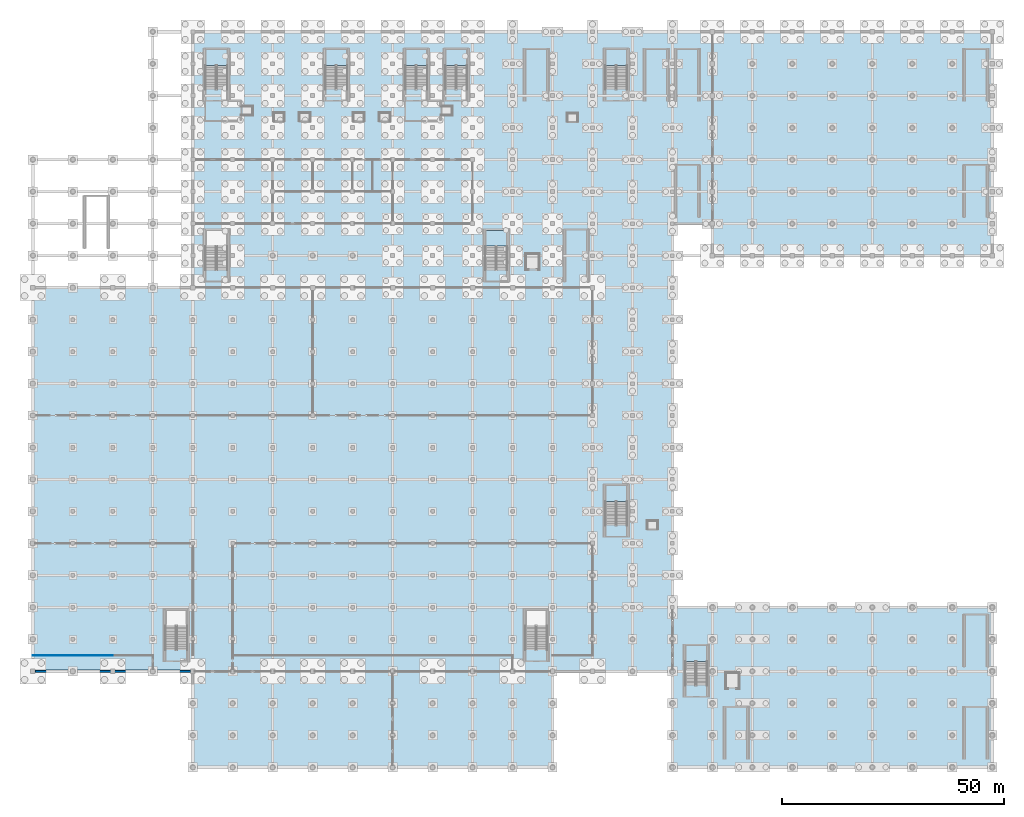
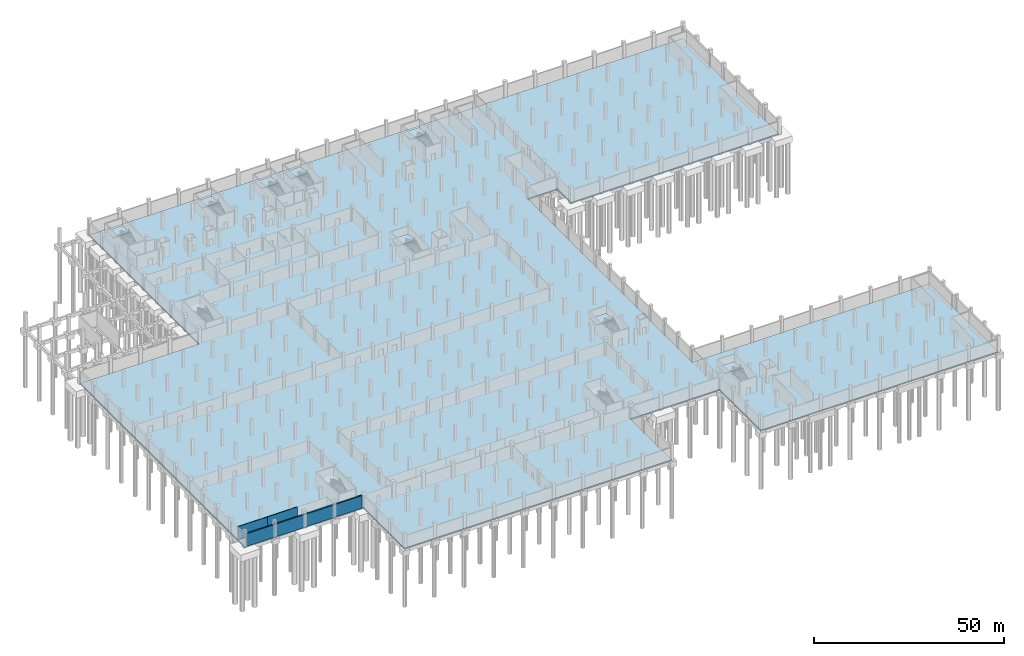
# One storey, part 15 of 39: 9 slabs, 3 walls, 8 elements without a shape of their own.
"""IFC4 building model written with IfcOpenShell, lengths in metres."""

from ifc_helpers import new_model, si_unit, direction, frame, frame_2d, origin, place, context, subcontext, project, spatial, polyline, rectangle, outline, extrude, material, layer, layer_set, type_object, element, aggregate, save


model = new_model("IFC4")

# Units and contexts
model_context = context("Model", 3, precision=1e-05, world=origin(), true_north=direction((0.0, 1.0)))
body_context = subcontext(model_context, "Body", "Model", "MODEL_VIEW")
ifc_project = project(units=[si_unit("LENGTHUNIT", "METRE"), si_unit("AREAUNIT", "SQUARE_METRE"), si_unit("VOLUMEUNIT", "CUBIC_METRE"), si_unit("PLANEANGLEUNIT", "RADIAN"), si_unit("MASSUNIT", "GRAM", prefix="KILO")], contexts=[model_context])

# Site, building, storey
site_placement = place(None, origin())
site = spatial("IfcSite", under=ifc_project, at=site_placement, CompositionType="ELEMENT")
building_placement = place(site_placement, origin())
building = spatial("IfcBuilding", under=site, at=building_placement, Name="Celestram Park Convention Centre", CompositionType="ELEMENT")
storey_placement = place(building_placement, frame((0.0, 0.0, -5.39990234375)))
storey = spatial("IfcBuildingStorey", under=building, at=storey_placement, Name="B1", CompositionType="ELEMENT", Elevation=-5.39990234375)

# Slab
ifc_material_1 = material(Name="Concrete C35/45", Category="concrete")
ifc_layer_1 = layer(ifc_material_1, 0.449951171875)
ifc_layer_set_1 = layer_set([ifc_layer_1], Name="Concrete C35/45")
slab_type_1 = type_object("IfcSlabType", Name="STR-SLB-BASE450", PredefinedType="BASESLAB", material=ifc_layer_set_1)
slab_1_placement = place(storey_placement, frame((0.0, 0.0, -0.4501953125)))
element("IfcSlab", 1, at=slab_1_placement, inside=storey, type_object=slab_type_1, Name="Basement continuous base slab 1", PredefinedType="BASESLAB", context=body_context, shape_type="SweptSolid", body=[
    extrude(outline(polyline([(0.0, 21.60009765625), (0.0, 108.0), (36.0, 108.0), (36.0, 122.39990234375), (36.0, 165.60009765625), (99.0, 165.60009765625), (153.0, 165.60009765625), (216.0, 165.60009765625), (216.0, 115.199951171875), (153.0, 115.199951171875), (153.0, 122.39990234375), (144.0, 122.39990234375), (144.0, 36.0), (216.0, 36.0), (216.0, 0.0), (144.0, 0.0), (144.0, 21.60009765625), (126.0, 21.60009765625), (117.0, 21.60009765625), (117.0, 0.0), (36.0, 0.0), (36.0, 21.60009765625), (0.0, 21.60009765625)])), origin(), (0.0, 0.0, 1.0), 0.4501953125),
])

# Stair, slab
ifc_material_2 = material(Name="Precast Concrete C40/50", Category="concrete")
stair_type = type_object("IfcStairType", Name="ARC-STR-DOG54", PredefinedType="HALF_TURN_STAIR", material=ifc_material_2)
stair_1_placement = place(storey_placement, origin())
stair_1 = element("IfcStair", 2, at=stair_1_placement, inside=storey, type_object=stair_type, Name="B1 Core C1 stair ST-01", PredefinedType="HALF_TURN_STAIR")
ifc_layer_2 = layer(ifc_material_1, 0.199951171875)
ifc_layer_set_2 = layer_set([ifc_layer_2], Name="Concrete C35/45")
slab_type_2 = type_object("IfcSlabType", Name="STR-SLB-LND200", PredefinedType="LANDING", material=ifc_layer_set_2)
slab_2_placement = place(storey_placement, frame((0.0, 0.0, 2.5)))
slab_2 = element("IfcSlab", 3, at=slab_2_placement, type_object=slab_type_2, Name="ST-01 landing 1", PredefinedType="LANDING", context=body_context, shape_type="SweptSolid", body=[
    extrude(outline(polyline([(43.800048828125, 158.033935546875), (43.800048828125, 161.60009765625), (38.840087890625, 161.60009765625), (38.840087890625, 158.033935546875), (43.800048828125, 158.033935546875)])), origin(), (0.0, 0.0, 1.0), 0.199951171875),
])
aggregate(stair_1, [slab_2])

stair_2_placement = place(storey_placement, origin())
stair_2 = element("IfcStair", 4, at=stair_2_placement, inside=storey, type_object=stair_type, Name="B1 Core C2 stair ST-02", PredefinedType="HALF_TURN_STAIR")
slab_3_placement = place(storey_placement, frame((0.0, 0.0, 2.5)))
slab_3 = element("IfcSlab", 5, at=slab_3_placement, type_object=slab_type_2, Name="ST-02 landing 1", PredefinedType="LANDING", context=body_context, shape_type="SweptSolid", body=[
    extrude(outline(polyline([(88.800048828125, 158.033935546875), (88.800048828125, 161.60009765625), (83.840087890625, 161.60009765625), (83.840087890625, 158.033935546875), (88.800048828125, 158.033935546875)])), origin(), (0.0, 0.0, 1.0), 0.199951171875),
])
aggregate(stair_2, [slab_3])

stair_3_placement = place(storey_placement, origin())
stair_3 = element("IfcStair", 6, at=stair_3_placement, inside=storey, type_object=stair_type, Name="B1 Core C3 stair ST-03", PredefinedType="HALF_TURN_STAIR")
slab_4_placement = place(storey_placement, frame((0.0, 0.0, 2.5)))
slab_4 = element("IfcSlab", 7, at=slab_4_placement, type_object=slab_type_2, Name="ST-03 landing 1", PredefinedType="LANDING", context=body_context, shape_type="SweptSolid", body=[
    extrude(outline(polyline([(106.800048828125, 117.333984375), (106.800048828125, 120.89990234375), (101.840087890625, 120.89990234375), (101.840087890625, 117.333984375), (106.800048828125, 117.333984375)])), origin(), (0.0, 0.0, 1.0), 0.199951171875),
])
aggregate(stair_3, [slab_4])

stair_4_placement = place(storey_placement, origin())
stair_4 = element("IfcStair", 8, at=stair_4_placement, inside=storey, type_object=stair_type, Name="B1 Core C4 stair ST-04", PredefinedType="HALF_TURN_STAIR")
slab_5_placement = place(storey_placement, frame((0.0, 0.0, 2.5)))
slab_5 = element("IfcSlab", 9, at=slab_5_placement, type_object=slab_type_2, Name="ST-04 landing 1", PredefinedType="LANDING", context=body_context, shape_type="SweptSolid", body=[
    extrude(outline(polyline([(133.800048828125, 59.833984375), (133.800048828125, 63.39990234375), (128.840087890625, 63.39990234375), (128.840087890625, 59.833984375), (133.800048828125, 59.833984375)])), origin(), (0.0, 0.0, 1.0), 0.199951171875),
])
aggregate(stair_4, [slab_5])

stair_5_placement = place(storey_placement, origin())
stair_5 = element("IfcStair", 10, at=stair_5_placement, inside=storey, type_object=stair_type, Name="B1 Core C5 stair ST-05", PredefinedType="HALF_TURN_STAIR")
slab_6_placement = place(storey_placement, frame((0.0, 0.0, 2.5)))
slab_6 = element("IfcSlab", 11, at=slab_6_placement, type_object=slab_type_2, Name="ST-05 landing 1", PredefinedType="LANDING", context=body_context, shape_type="SweptSolid", body=[
    extrude(outline(polyline([(133.800048828125, 158.033935546875), (133.800048828125, 161.60009765625), (128.840087890625, 161.60009765625), (128.840087890625, 158.033935546875), (133.800048828125, 158.033935546875)])), origin(), (0.0, 0.0, 1.0), 0.199951171875),
])
aggregate(stair_5, [slab_6])

stair_6_placement = place(storey_placement, origin())
stair_6 = element("IfcStair", 12, at=stair_6_placement, inside=storey, type_object=stair_type, Name="B1 Core C6 stair ST-06", PredefinedType="HALF_TURN_STAIR")
slab_7_placement = place(storey_placement, frame((0.0, 0.0, 2.5)))
slab_7 = element("IfcSlab", 13, at=slab_7_placement, type_object=slab_type_2, Name="ST-06 landing 1", PredefinedType="LANDING", context=body_context, shape_type="SweptSolid", body=[
    extrude(outline(polyline([(151.800048828125, 23.833984375), (151.800048828125, 27.39990234375), (146.840087890625, 27.39990234375), (146.840087890625, 23.833984375), (151.800048828125, 23.833984375)])), origin(), (0.0, 0.0, 1.0), 0.199951171875),
])
aggregate(stair_6, [slab_7])

stair_7_placement = place(storey_placement, origin())
stair_7 = element("IfcStair", 14, at=stair_7_placement, inside=storey, type_object=stair_type, Name="B1 Core S14 stair ST-14", PredefinedType="HALF_TURN_STAIR")
slab_8_placement = place(storey_placement, frame((0.0, 0.0, 2.5)))
slab_8 = element("IfcSlab", 15, at=slab_8_placement, type_object=slab_type_2, Name="ST-14 landing 1", PredefinedType="LANDING", context=body_context, shape_type="SweptSolid", body=[
    extrude(outline(polyline([(70.800048828125, 158.033935546875), (70.800048828125, 161.60009765625), (65.840087890625, 161.60009765625), (65.840087890625, 158.033935546875), (70.800048828125, 158.033935546875)])), origin(), (0.0, 0.0, 1.0), 0.199951171875),
])
aggregate(stair_7, [slab_8])

stair_8_placement = place(storey_placement, origin())
stair_8 = element("IfcStair", 16, at=stair_8_placement, inside=storey, type_object=stair_type, Name="B1 Core S19 stair ST-19", PredefinedType="HALF_TURN_STAIR")
slab_9_placement = place(storey_placement, frame((0.0, 0.0, 2.5)))
slab_9 = element("IfcSlab", 17, at=slab_9_placement, type_object=slab_type_2, Name="ST-19 landing 1", PredefinedType="LANDING", context=body_context, shape_type="SweptSolid", body=[
    extrude(outline(polyline([(97.800048828125, 158.033935546875), (97.800048828125, 161.60009765625), (92.840087890625, 161.60009765625), (92.840087890625, 158.033935546875), (97.800048828125, 158.033935546875)])), origin(), (0.0, 0.0, 1.0), 0.199951171875),
])
aggregate(stair_8, [slab_9])

# Walls
ifc_material_3 = material(Name="Standard Gypsum & Steel Stud 120 mm", Category="steel")
ifc_layer_3 = layer(ifc_material_3, 0.1201171875)
ifc_layer_set_3 = layer_set([ifc_layer_3], Name="Standard Gypsum & Steel Stud 120 mm")
wall_type_1 = type_object("IfcWallType", Name="ARC-WL-PRT120", PredefinedType="PARTITIONING", material=ifc_layer_set_3)
for number, where, z_axis, x_axis, name in (
    (18, (0.0, 25.199951171875, 0.0), (0.0, 0.0, 1.0), (1.0, 0.0, 0.0), "Interior partition WL-B1-IN0424"),
    (19, (9.0, 25.199951171875, 0.0), (0.0, 0.0, 1.0), (1.0, 0.0, 0.0), "Interior partition WL-B1-IN0425"),
):
    element("IfcWall", number, at=place(storey_placement, frame(where, z_axis=z_axis, x_axis=x_axis)), inside=storey, type_object=wall_type_1, Name=name, PredefinedType="PARTITIONING", context=body_context, shape_type="SweptSolid", body=[
        extrude(rectangle(XDim=9.0, YDim=0.1201171875, at=frame_2d((4.5, 0.0))), origin(), (0.0, 0.0, 1.0), 4.267822265625),
    ])
ifc_material_4 = material(Name="Concrete C40/50", Category="concrete")
ifc_layer_4 = layer(ifc_material_4, 0.419921875)
ifc_layer_set_4 = layer_set([ifc_layer_4], Name="Concrete C40/50")
wall_type_2 = type_object("IfcWallType", Name="STR-WL-RET420", PredefinedType="USERDEFINED", material=ifc_layer_set_4)
wall_placement = place(storey_placement, frame((35.449951171875, 21.60009765625, 0.0), z_axis=(0.0, 0.0, 1.0), x_axis=(-1.0, 0.0, 0.0)))
element("IfcWall", 20, at=wall_placement, inside=storey, type_object=wall_type_2, Name="Basement retaining wall WL-B1-RET22", ObjectType="RETAININGWALL", PredefinedType="USERDEFINED", context=body_context, shape_type="SweptSolid", body=[
    extrude(rectangle(XDim=34.89990234375, YDim=0.419921875, at=frame_2d((17.449951171875, 0.0))), origin(), (0.0, 0.0, 1.0), 4.079833984375),
])

save(model, "model.ifc")
